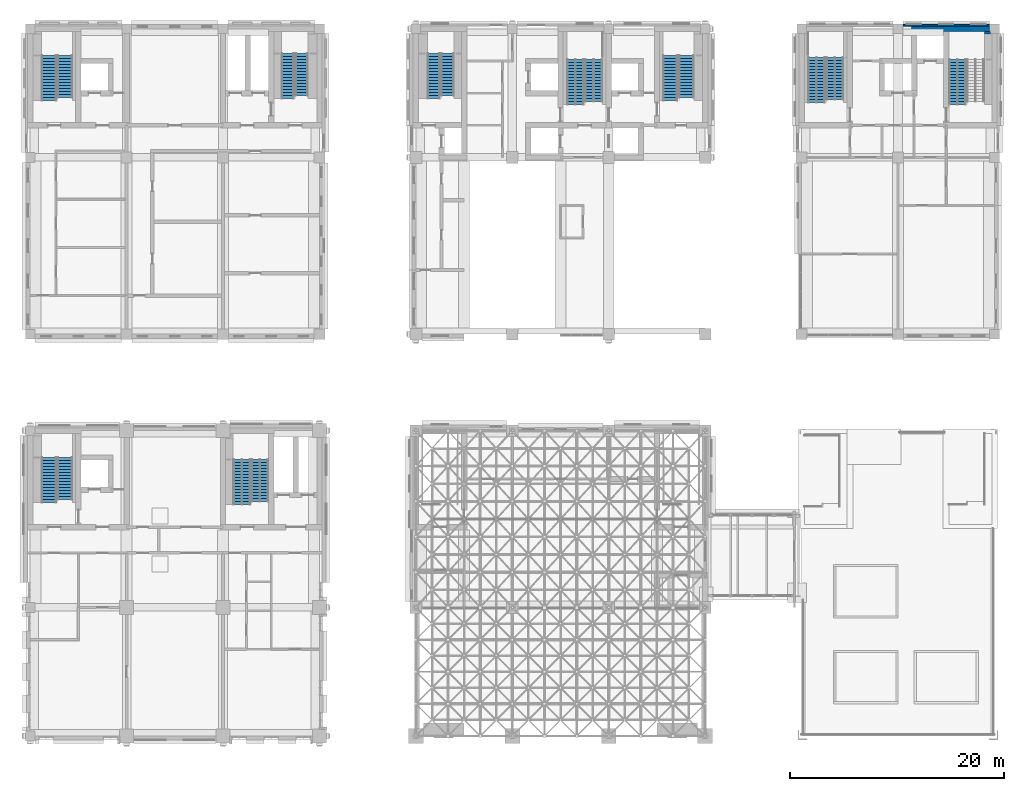
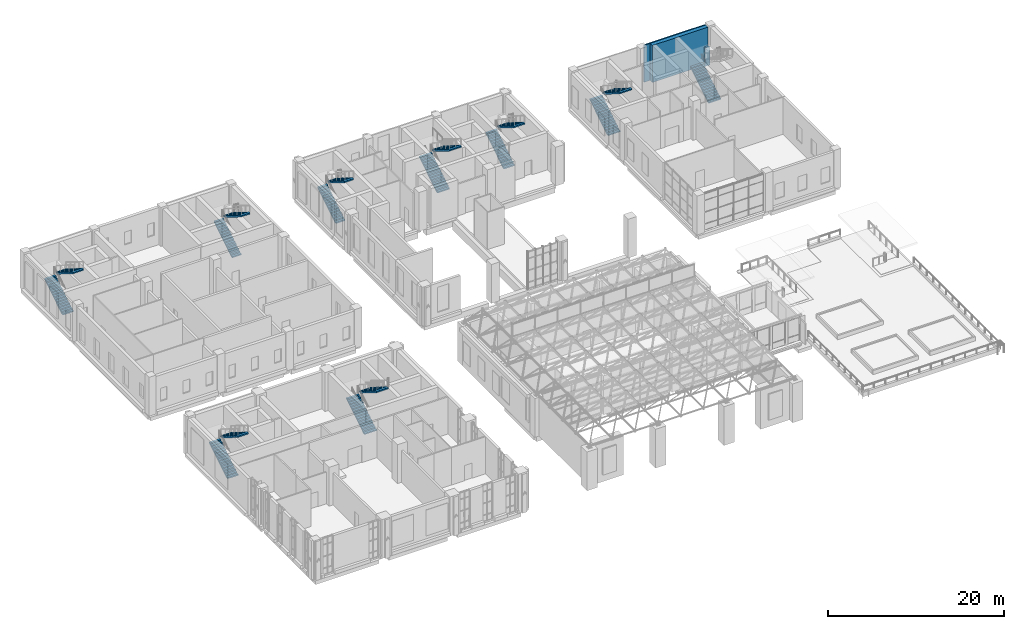
# One storey, part 37 of 53: 17 stair flights, 3 walls, 9 elements without a shape of their own.
"""IFC4 building model written with IfcOpenShell, lengths in metres."""

from ifc_helpers import new_model, si_unit, direction, frame, frame_2d, origin, place, context, subcontext, project, spatial, polyline, rectangle, outline, extrude, material, layer, layer_set, type_object, element, aggregate, save


model = new_model("IFC4")

# Units and contexts
model_context = context("Model", 3, precision=1e-05, world=origin(), true_north=direction((0.0, 1.0)))
body_context = subcontext(model_context, "Body", "Model", "MODEL_VIEW")
ifc_project = project(units=[si_unit("LENGTHUNIT", "METRE"), si_unit("AREAUNIT", "SQUARE_METRE"), si_unit("VOLUMEUNIT", "CUBIC_METRE"), si_unit("PLANEANGLEUNIT", "RADIAN"), si_unit("MASSUNIT", "GRAM", prefix="KILO")], contexts=[model_context])

# Site, building, storey
site_placement = place(None, origin())
site = spatial("IfcSite", under=ifc_project, at=site_placement, CompositionType="ELEMENT")
building_placement = place(site_placement, origin())
building = spatial("IfcBuilding", under=site, at=building_placement, Name="Aurelan Courthouse", CompositionType="ELEMENT")
storey_placement = place(building_placement, frame((0.0, 0.0, 12.0)))
storey = spatial("IfcBuildingStorey", under=building, at=storey_placement, Name="L02", CompositionType="ELEMENT", Elevation=12.0)

# Walls
ifc_material_1 = material(Name="Limestone cladding", Category="masonry")
ifc_layer_1 = layer(ifc_material_1, 0.050048828125, Name="Facing")
ifc_material_2 = material(Name="Ventilated cavity")
ifc_layer_2 = layer(ifc_material_2, 0.02490234375, ventilated=True, Name="Ventilated cavity")
ifc_material_3 = material(Name="Mineral wool insulation")
ifc_layer_3 = layer(ifc_material_3, 0.02490234375, Name="Insulation")
ifc_material_4 = material(Name="Concrete C30", Category="concrete")
ifc_layer_4 = layer(ifc_material_4, 0.070068359375, Name="Structure")
ifc_layer_set_1 = layer_set([ifc_layer_1, ifc_layer_2, ifc_layer_3, ifc_layer_4], Name="Concrete C30")
wall_type_1 = type_object("IfcWallType", Name="Law Library stone-faced wall 170", PredefinedType="SOLIDWALL", material=ifc_layer_set_1)
wall_1_placement = place(storey_placement, frame((81.449951171875, 66.3349609375, 0.0), z_axis=(0.0, 0.0, 1.0), x_axis=(1.0, 0.0, 0.0)))
element("IfcWall", 1, at=wall_1_placement, inside=storey, type_object=wall_type_1, Name="Facade wall FW-V3-L02-003", PredefinedType="SOLIDWALL", context=body_context, shape_type="SweptSolid", body=[
    extrude(rectangle(XDim=8.10009765625, YDim=0.169921875, at=frame_2d((4.050048828125, 0.0))), origin(), (0.0, 0.0, 1.0), 5.14990234375),
])
ifc_material_5 = material(Name="Concrete C50", Category="concrete")
ifc_layer_5 = layer(ifc_material_5, 0.5)
ifc_layer_set_2 = layer_set([ifc_layer_5], Name="Concrete C50")
wall_type_2 = type_object("IfcWallType", Name="RC shear wall 500", PredefinedType="SHEAR", material=ifc_layer_set_2)
wall_2_placement = place(storey_placement, frame((82.25, 66.0, 0.0), z_axis=(0.0, 0.0, 1.0), x_axis=(1.0, 0.0, 0.0)))
element("IfcWall", 2, at=wall_2_placement, inside=storey, type_object=wall_type_2, Name="Core wall SW-L02-078", PredefinedType="SHEAR", context=body_context, shape_type="SweptSolid", body=[
    extrude(rectangle(XDim=7.300048828125, YDim=0.5, at=frame_2d((3.64990234375, 0.0))), origin(), (0.0, 0.0, 1.0), 5.14990234375),
])
ifc_layer_6 = layer(ifc_material_4, 0.60009765625)
ifc_layer_set_3 = layer_set([ifc_layer_6], Name="Concrete C30")
wall_type_3 = type_object("IfcWallType", Name="Stair well wall 600 EI 120 load-bearing", PredefinedType="SHEAR", material=ifc_layer_set_3)
wall_3_placement = place(storey_placement, frame((89.35009765625, 65.5, 0.0), z_axis=(0.0, 0.0, 1.0), x_axis=(0.0, 1.0, 0.0)))
element("IfcWall", 3, at=wall_3_placement, inside=storey, type_object=wall_type_3, Name="Stair well wall ST-3B-L02 B2", PredefinedType="SHEAR", context=body_context, shape_type="SweptSolid", body=[
    extrude(rectangle(XDim=0.25, YDim=0.60009765625, at=frame_2d((0.125, 0.0))), origin(), (0.0, 0.0, 1.0), 2.587158203125),
])

# Stair, stair flights
stair_type_1 = type_object("IfcStairType", Name="Half-turn stair 1200 wide 31 risers", PredefinedType="HALF_TURN_STAIR", material=ifc_material_4)
stair_1_placement = place(storey_placement, origin())
stair_1 = element("IfcStair", 4, at=stair_1_placement, inside=storey, type_object=stair_type_1, Name="Stair CS-2-L02", PredefinedType="HALF_TURN_STAIR")
stair_flight_type_1 = type_object("IfcStairFlightType", Name="Stair flight 1200 wide 16 risers", PredefinedType="STRAIGHT", material=ifc_material_4)
stair_flight_1_placement = place(storey_placement, frame((37.659912109375, 59.510009765625, 0.0), z_axis=(0.0, 0.0, 1.0), x_axis=(0.0, 1.0, 0.0)))
stair_flight_1 = element("IfcStairFlight", 5, at=stair_flight_1_placement, type_object=stair_flight_type_1, Name="Stair CS-2-L02 flight 1", NumberOfRisers=16, NumberOfTreads=15, PredefinedType="STRAIGHT", RiserHeight=0.174193548, TreadLength=0.28, context=body_context, shape_type="SweptSolid", body=[
    extrude(outline(polyline([(0.0, 0.0), (0.0, 0.174072265625), (0.280029296875, 0.174072265625), (0.280029296875, 0.348388671875), (0.56005859375, 0.348388671875), (0.56005859375, 0.5224609375), (0.840087890625, 0.5224609375), (0.840087890625, 0.69677734375), (1.1201171875, 0.69677734375), (1.1201171875, 0.870849609375), (1.39990234375, 0.870849609375), (1.39990234375, 1.045166015625), (1.679931640625, 1.045166015625), (1.679931640625, 1.21923828125), (1.9599609375, 1.21923828125), (1.9599609375, 1.3935546875), (2.239990234375, 1.3935546875), (2.239990234375, 1.567626953125), (2.52001953125, 1.567626953125), (2.52001953125, 1.741943359375), (2.800048828125, 1.741943359375), (2.800048828125, 1.916015625), (3.080078125, 1.916015625), (3.080078125, 2.09033203125), (3.360107421875, 2.09033203125), (3.360107421875, 2.264404296875), (3.639892578125, 2.264404296875), (3.639892578125, 2.438720703125), (3.919921875, 2.438720703125), (3.919921875, 2.61279296875), (4.199951171875, 2.61279296875), (4.199951171875, 2.787109375), (4.199951171875, 2.436279296875), (0.28369140625, 0.0), (0.0, 0.0)])), frame((0.0, 0.60009765625, 0.0), z_axis=(0.0, -1.0, 0.0), x_axis=(1.0, 0.0, 0.0)), (0.0, 0.0, 1.0), 1.199951171875),
])
stair_flight_2_placement = place(storey_placement, frame((38.9599609375, 63.7099609375, 2.787109375), z_axis=(0.0, 0.0, 1.0), x_axis=(0.0, -1.0, 0.0)))
stair_flight_2 = element("IfcStairFlight", 6, at=stair_flight_2_placement, type_object=stair_flight_type_1, Name="Stair CS-2-L02 flight 2", NumberOfRisers=15, NumberOfTreads=14, PredefinedType="STRAIGHT", RiserHeight=0.174193548, TreadLength=0.28, context=body_context, shape_type="SweptSolid", body=[
    extrude(outline(polyline([(0.0, 0.0), (0.0, 0.174072265625), (0.280029296875, 0.174072265625), (0.280029296875, 0.348388671875), (0.56005859375, 0.348388671875), (0.56005859375, 0.5224609375), (0.840087890625, 0.5224609375), (0.840087890625, 0.69677734375), (1.1201171875, 0.69677734375), (1.1201171875, 0.870849609375), (1.39990234375, 0.870849609375), (1.39990234375, 1.045166015625), (1.679931640625, 1.045166015625), (1.679931640625, 1.21923828125), (1.9599609375, 1.21923828125), (1.9599609375, 1.3935546875), (2.239990234375, 1.3935546875), (2.239990234375, 1.567626953125), (2.52001953125, 1.567626953125), (2.52001953125, 1.741943359375), (2.800048828125, 1.741943359375), (2.800048828125, 1.916015625), (3.080078125, 1.916015625), (3.080078125, 2.09033203125), (3.360107421875, 2.09033203125), (3.360107421875, 2.264404296875), (3.639892578125, 2.264404296875), (3.639892578125, 2.438720703125), (3.919921875, 2.438720703125), (3.919921875, 2.61279296875), (3.919921875, 2.26220703125), (0.28369140625, 0.0), (0.0, 0.0)])), frame((0.0, 0.60009765625, 0.0), z_axis=(0.0, -1.0, 0.0), x_axis=(1.0, 0.0, 0.0)), (0.0, 0.0, 1.0), 1.199951171875),
])
aggregate(stair_1, [stair_flight_1, stair_flight_2])

stair_2_placement = place(storey_placement, origin())
stair_2 = element("IfcStair", 7, at=stair_2_placement, inside=storey, type_object=stair_type_1, Name="Stair CS-6-L02", PredefinedType="HALF_TURN_STAIR")
stair_flight_3_placement = place(storey_placement, frame((24.0400390625, 59.510009765625, 0.0), z_axis=(0.0, 0.0, 1.0), x_axis=(0.0, 1.0, 0.0)))
stair_flight_3 = element("IfcStairFlight", 8, at=stair_flight_3_placement, type_object=stair_flight_type_1, Name="Stair CS-6-L02 flight 1", NumberOfRisers=16, NumberOfTreads=15, PredefinedType="STRAIGHT", RiserHeight=0.174193548, TreadLength=0.28, context=body_context, shape_type="SweptSolid", body=[
    extrude(outline(polyline([(0.0, 0.0), (0.0, 0.174072265625), (0.280029296875, 0.174072265625), (0.280029296875, 0.348388671875), (0.56005859375, 0.348388671875), (0.56005859375, 0.5224609375), (0.840087890625, 0.5224609375), (0.840087890625, 0.69677734375), (1.1201171875, 0.69677734375), (1.1201171875, 0.870849609375), (1.39990234375, 0.870849609375), (1.39990234375, 1.045166015625), (1.679931640625, 1.045166015625), (1.679931640625, 1.21923828125), (1.9599609375, 1.21923828125), (1.9599609375, 1.3935546875), (2.239990234375, 1.3935546875), (2.239990234375, 1.567626953125), (2.52001953125, 1.567626953125), (2.52001953125, 1.741943359375), (2.800048828125, 1.741943359375), (2.800048828125, 1.916015625), (3.080078125, 1.916015625), (3.080078125, 2.09033203125), (3.360107421875, 2.09033203125), (3.360107421875, 2.264404296875), (3.639892578125, 2.264404296875), (3.639892578125, 2.438720703125), (3.919921875, 2.438720703125), (3.919921875, 2.61279296875), (4.199951171875, 2.61279296875), (4.199951171875, 2.787109375), (4.199951171875, 2.436279296875), (0.28369140625, 0.0), (0.0, 0.0)])), frame((0.0, 0.60009765625, 0.0), z_axis=(0.0, -1.0, 0.0), x_axis=(1.0, 0.0, 0.0)), (0.0, 0.0, 1.0), 1.199951171875),
])
stair_flight_4_placement = place(storey_placement, frame((25.340087890625, 63.7099609375, 2.787109375), z_axis=(0.0, 0.0, 1.0), x_axis=(0.0, -1.0, 0.0)))
stair_flight_4 = element("IfcStairFlight", 9, at=stair_flight_4_placement, type_object=stair_flight_type_1, Name="Stair CS-6-L02 flight 2", NumberOfRisers=15, NumberOfTreads=14, PredefinedType="STRAIGHT", RiserHeight=0.174193548, TreadLength=0.28, context=body_context, shape_type="SweptSolid", body=[
    extrude(outline(polyline([(0.0, 0.0), (0.0, 0.174072265625), (0.280029296875, 0.174072265625), (0.280029296875, 0.348388671875), (0.56005859375, 0.348388671875), (0.56005859375, 0.5224609375), (0.840087890625, 0.5224609375), (0.840087890625, 0.69677734375), (1.1201171875, 0.69677734375), (1.1201171875, 0.870849609375), (1.39990234375, 0.870849609375), (1.39990234375, 1.045166015625), (1.679931640625, 1.045166015625), (1.679931640625, 1.21923828125), (1.9599609375, 1.21923828125), (1.9599609375, 1.3935546875), (2.239990234375, 1.3935546875), (2.239990234375, 1.567626953125), (2.52001953125, 1.567626953125), (2.52001953125, 1.741943359375), (2.800048828125, 1.741943359375), (2.800048828125, 1.916015625), (3.080078125, 1.916015625), (3.080078125, 2.09033203125), (3.360107421875, 2.09033203125), (3.360107421875, 2.264404296875), (3.639892578125, 2.264404296875), (3.639892578125, 2.438720703125), (3.919921875, 2.438720703125), (3.919921875, 2.61279296875), (3.919921875, 2.26220703125), (0.28369140625, 0.0), (0.0, 0.0)])), frame((0.0, 0.60009765625, 0.0), z_axis=(0.0, -1.0, 0.0), x_axis=(1.0, 0.0, 0.0)), (0.0, 0.0, 1.0), 1.199951171875),
])
aggregate(stair_2, [stair_flight_3, stair_flight_4])

stair_type_2 = type_object("IfcStairType", Name="Half-turn stair 1400 wide 31 risers", PredefinedType="HALF_TURN_STAIR", material=ifc_material_4)
stair_3_placement = place(storey_placement, origin())
stair_3 = element("IfcStair", 10, at=stair_3_placement, inside=storey, type_object=stair_type_2, Name="Stair ST-2E-L02", PredefinedType="HALF_TURN_STAIR")
stair_flight_type_2 = type_object("IfcStairFlightType", Name="Stair flight 1400 wide 16 risers", PredefinedType="STRAIGHT", material=ifc_material_4)
stair_flight_5_placement = place(storey_placement, frame((59.739990234375, 59.31005859375, 0.0), z_axis=(0.0, 0.0, 1.0), x_axis=(0.0, 1.0, 0.0)))
stair_flight_5 = element("IfcStairFlight", 11, at=stair_flight_5_placement, type_object=stair_flight_type_2, Name="Stair ST-2E-L02 flight 1", NumberOfRisers=16, NumberOfTreads=15, PredefinedType="STRAIGHT", RiserHeight=0.174193548, TreadLength=0.28, context=body_context, shape_type="SweptSolid", body=[
    extrude(outline(polyline([(0.0, 0.0), (0.0, 0.174072265625), (0.280029296875, 0.174072265625), (0.280029296875, 0.348388671875), (0.56005859375, 0.348388671875), (0.56005859375, 0.5224609375), (0.840087890625, 0.5224609375), (0.840087890625, 0.69677734375), (1.1201171875, 0.69677734375), (1.1201171875, 0.870849609375), (1.39990234375, 0.870849609375), (1.39990234375, 1.045166015625), (1.679931640625, 1.045166015625), (1.679931640625, 1.21923828125), (1.9599609375, 1.21923828125), (1.9599609375, 1.3935546875), (2.239990234375, 1.3935546875), (2.239990234375, 1.567626953125), (2.52001953125, 1.567626953125), (2.52001953125, 1.741943359375), (2.800048828125, 1.741943359375), (2.800048828125, 1.916015625), (3.080078125, 1.916015625), (3.080078125, 2.09033203125), (3.360107421875, 2.09033203125), (3.360107421875, 2.264404296875), (3.639892578125, 2.264404296875), (3.639892578125, 2.438720703125), (3.919921875, 2.438720703125), (3.919921875, 2.61279296875), (4.199951171875, 2.61279296875), (4.199951171875, 2.787109375), (4.199951171875, 2.436279296875), (0.28369140625, 0.0), (0.0, 0.0)])), frame((0.0, 0.699951171875, 0.0), z_axis=(0.0, -1.0, 0.0), x_axis=(1.0, 0.0, 0.0)), (0.0, 0.0, 1.0), 1.39990234375),
])
stair_flight_6_placement = place(storey_placement, frame((61.239990234375, 63.510009765625, 2.787109375), z_axis=(0.0, 0.0, 1.0), x_axis=(0.0, -1.0, 0.0)))
stair_flight_6 = element("IfcStairFlight", 12, at=stair_flight_6_placement, type_object=stair_flight_type_2, Name="Stair ST-2E-L02 flight 2", NumberOfRisers=15, NumberOfTreads=14, PredefinedType="STRAIGHT", RiserHeight=0.174193548, TreadLength=0.28, context=body_context, shape_type="SweptSolid", body=[
    extrude(outline(polyline([(0.0, 0.0), (0.0, 0.174072265625), (0.280029296875, 0.174072265625), (0.280029296875, 0.348388671875), (0.56005859375, 0.348388671875), (0.56005859375, 0.5224609375), (0.840087890625, 0.5224609375), (0.840087890625, 0.69677734375), (1.1201171875, 0.69677734375), (1.1201171875, 0.870849609375), (1.39990234375, 0.870849609375), (1.39990234375, 1.045166015625), (1.679931640625, 1.045166015625), (1.679931640625, 1.21923828125), (1.9599609375, 1.21923828125), (1.9599609375, 1.3935546875), (2.239990234375, 1.3935546875), (2.239990234375, 1.567626953125), (2.52001953125, 1.567626953125), (2.52001953125, 1.741943359375), (2.800048828125, 1.741943359375), (2.800048828125, 1.916015625), (3.080078125, 1.916015625), (3.080078125, 2.09033203125), (3.360107421875, 2.09033203125), (3.360107421875, 2.264404296875), (3.639892578125, 2.264404296875), (3.639892578125, 2.438720703125), (3.919921875, 2.438720703125), (3.919921875, 2.61279296875), (3.919921875, 2.26220703125), (0.28369140625, 0.0), (0.0, 0.0)])), frame((0.0, 0.699951171875, 0.0), z_axis=(0.0, -1.0, 0.0), x_axis=(1.0, 0.0, 0.0)), (0.0, 0.0, 1.0), 1.39990234375),
])
aggregate(stair_3, [stair_flight_5, stair_flight_6])

stair_4_placement = place(storey_placement, origin())
stair_4 = element("IfcStair", 13, at=stair_4_placement, inside=storey, type_object=stair_type_2, Name="Stair ST-5B-L02", PredefinedType="HALF_TURN_STAIR")
stair_flight_7_placement = place(storey_placement, frame((1.760009765625, 21.81005859375, 0.0), z_axis=(0.0, 0.0, 1.0), x_axis=(0.0, 1.0, 0.0)))
stair_flight_7 = element("IfcStairFlight", 14, at=stair_flight_7_placement, type_object=stair_flight_type_2, Name="Stair ST-5B-L02 flight 1", NumberOfRisers=16, NumberOfTreads=15, PredefinedType="STRAIGHT", RiserHeight=0.174193548, TreadLength=0.28, context=body_context, shape_type="SweptSolid", body=[
    extrude(outline(polyline([(0.0, 0.0), (0.0, 0.174072265625), (0.280029296875, 0.174072265625), (0.280029296875, 0.348388671875), (0.56005859375, 0.348388671875), (0.56005859375, 0.5224609375), (0.840087890625, 0.5224609375), (0.840087890625, 0.69677734375), (1.1201171875, 0.69677734375), (1.1201171875, 0.870849609375), (1.39990234375, 0.870849609375), (1.39990234375, 1.045166015625), (1.679931640625, 1.045166015625), (1.679931640625, 1.21923828125), (1.9599609375, 1.21923828125), (1.9599609375, 1.3935546875), (2.239990234375, 1.3935546875), (2.239990234375, 1.567626953125), (2.52001953125, 1.567626953125), (2.52001953125, 1.741943359375), (2.800048828125, 1.741943359375), (2.800048828125, 1.916015625), (3.080078125, 1.916015625), (3.080078125, 2.09033203125), (3.360107421875, 2.09033203125), (3.360107421875, 2.264404296875), (3.639892578125, 2.264404296875), (3.639892578125, 2.438720703125), (3.919921875, 2.438720703125), (3.919921875, 2.61279296875), (4.199951171875, 2.61279296875), (4.199951171875, 2.787109375), (4.199951171875, 2.436279296875), (0.28369140625, 0.0), (0.0, 0.0)])), frame((0.0, 0.699951171875, 0.0), z_axis=(0.0, -1.0, 0.0), x_axis=(1.0, 0.0, 0.0)), (0.0, 0.0, 1.0), 1.39990234375),
])
stair_flight_8_placement = place(storey_placement, frame((3.260009765625, 26.010009765625, 2.787109375), z_axis=(0.0, 0.0, 1.0), x_axis=(0.0, -1.0, 0.0)))
stair_flight_8 = element("IfcStairFlight", 15, at=stair_flight_8_placement, type_object=stair_flight_type_2, Name="Stair ST-5B-L02 flight 2", NumberOfRisers=15, NumberOfTreads=14, PredefinedType="STRAIGHT", RiserHeight=0.174193548, TreadLength=0.28, context=body_context, shape_type="SweptSolid", body=[
    extrude(outline(polyline([(0.0, 0.0), (0.0, 0.174072265625), (0.280029296875, 0.174072265625), (0.280029296875, 0.348388671875), (0.56005859375, 0.348388671875), (0.56005859375, 0.5224609375), (0.840087890625, 0.5224609375), (0.840087890625, 0.69677734375), (1.1201171875, 0.69677734375), (1.1201171875, 0.870849609375), (1.39990234375, 0.870849609375), (1.39990234375, 1.045166015625), (1.679931640625, 1.045166015625), (1.679931640625, 1.21923828125), (1.9599609375, 1.21923828125), (1.9599609375, 1.3935546875), (2.239990234375, 1.3935546875), (2.239990234375, 1.567626953125), (2.52001953125, 1.567626953125), (2.52001953125, 1.741943359375), (2.800048828125, 1.741943359375), (2.800048828125, 1.916015625), (3.080078125, 1.916015625), (3.080078125, 2.09033203125), (3.360107421875, 2.09033203125), (3.360107421875, 2.264404296875), (3.639892578125, 2.264404296875), (3.639892578125, 2.438720703125), (3.919921875, 2.438720703125), (3.919921875, 2.61279296875), (3.919921875, 2.26220703125), (0.28369140625, 0.0), (0.0, 0.0)])), frame((0.0, 0.699951171875, 0.0), z_axis=(0.0, -1.0, 0.0), x_axis=(1.0, 0.0, 0.0)), (0.0, 0.0, 1.0), 1.39990234375),
])
aggregate(stair_4, [stair_flight_7, stair_flight_8])

stair_5_placement = place(storey_placement, origin())
stair_5 = element("IfcStair", 16, at=stair_5_placement, inside=storey, type_object=stair_type_2, Name="Stair ST-6-L02", PredefinedType="HALF_TURN_STAIR")
stair_flight_9_placement = place(storey_placement, frame((1.760009765625, 59.31005859375, 0.0), z_axis=(0.0, 0.0, 1.0), x_axis=(0.0, 1.0, 0.0)))
stair_flight_9 = element("IfcStairFlight", 17, at=stair_flight_9_placement, type_object=stair_flight_type_2, Name="Stair ST-6-L02 flight 1", NumberOfRisers=16, NumberOfTreads=15, PredefinedType="STRAIGHT", RiserHeight=0.174193548, TreadLength=0.28, context=body_context, shape_type="SweptSolid", body=[
    extrude(outline(polyline([(0.0, 0.0), (0.0, 0.174072265625), (0.280029296875, 0.174072265625), (0.280029296875, 0.348388671875), (0.56005859375, 0.348388671875), (0.56005859375, 0.5224609375), (0.840087890625, 0.5224609375), (0.840087890625, 0.69677734375), (1.1201171875, 0.69677734375), (1.1201171875, 0.870849609375), (1.39990234375, 0.870849609375), (1.39990234375, 1.045166015625), (1.679931640625, 1.045166015625), (1.679931640625, 1.21923828125), (1.9599609375, 1.21923828125), (1.9599609375, 1.3935546875), (2.239990234375, 1.3935546875), (2.239990234375, 1.567626953125), (2.52001953125, 1.567626953125), (2.52001953125, 1.741943359375), (2.800048828125, 1.741943359375), (2.800048828125, 1.916015625), (3.080078125, 1.916015625), (3.080078125, 2.09033203125), (3.360107421875, 2.09033203125), (3.360107421875, 2.264404296875), (3.639892578125, 2.264404296875), (3.639892578125, 2.438720703125), (3.919921875, 2.438720703125), (3.919921875, 2.61279296875), (4.199951171875, 2.61279296875), (4.199951171875, 2.787109375), (4.199951171875, 2.436279296875), (0.28369140625, 0.0), (0.0, 0.0)])), frame((0.0, 0.699951171875, 0.0), z_axis=(0.0, -1.0, 0.0), x_axis=(1.0, 0.0, 0.0)), (0.0, 0.0, 1.0), 1.39990234375),
])
stair_flight_10_placement = place(storey_placement, frame((3.260009765625, 63.510009765625, 2.787109375), z_axis=(0.0, 0.0, 1.0), x_axis=(0.0, -1.0, 0.0)))
stair_flight_10 = element("IfcStairFlight", 18, at=stair_flight_10_placement, type_object=stair_flight_type_2, Name="Stair ST-6-L02 flight 2", NumberOfRisers=15, NumberOfTreads=14, PredefinedType="STRAIGHT", RiserHeight=0.174193548, TreadLength=0.28, context=body_context, shape_type="SweptSolid", body=[
    extrude(outline(polyline([(0.0, 0.0), (0.0, 0.174072265625), (0.280029296875, 0.174072265625), (0.280029296875, 0.348388671875), (0.56005859375, 0.348388671875), (0.56005859375, 0.5224609375), (0.840087890625, 0.5224609375), (0.840087890625, 0.69677734375), (1.1201171875, 0.69677734375), (1.1201171875, 0.870849609375), (1.39990234375, 0.870849609375), (1.39990234375, 1.045166015625), (1.679931640625, 1.045166015625), (1.679931640625, 1.21923828125), (1.9599609375, 1.21923828125), (1.9599609375, 1.3935546875), (2.239990234375, 1.3935546875), (2.239990234375, 1.567626953125), (2.52001953125, 1.567626953125), (2.52001953125, 1.741943359375), (2.800048828125, 1.741943359375), (2.800048828125, 1.916015625), (3.080078125, 1.916015625), (3.080078125, 2.09033203125), (3.360107421875, 2.09033203125), (3.360107421875, 2.264404296875), (3.639892578125, 2.264404296875), (3.639892578125, 2.438720703125), (3.919921875, 2.438720703125), (3.919921875, 2.61279296875), (3.919921875, 2.26220703125), (0.28369140625, 0.0), (0.0, 0.0)])), frame((0.0, 0.699951171875, 0.0), z_axis=(0.0, -1.0, 0.0), x_axis=(1.0, 0.0, 0.0)), (0.0, 0.0, 1.0), 1.39990234375),
])
aggregate(stair_5, [stair_flight_9, stair_flight_10])

stair_type_3 = type_object("IfcStairType", Name="Half-turn stair 1600 wide 31 risers", PredefinedType="HALF_TURN_STAIR", material=ifc_material_4)
stair_6_placement = place(storey_placement, origin())
stair_6 = element("IfcStair", 19, at=stair_6_placement, inside=storey, type_object=stair_type_3, Name="Stair ST-2A-L02", PredefinedType="HALF_TURN_STAIR")
stair_flight_type_3 = type_object("IfcStairFlightType", Name="Stair flight 1600 wide 16 risers", PredefinedType="STRAIGHT", material=ifc_material_4)
stair_flight_11_placement = place(storey_placement, frame((50.89990234375, 58.9599609375, 0.0), z_axis=(0.0, 0.0, 1.0), x_axis=(0.0, 1.0, 0.0)))
stair_flight_11 = element("IfcStairFlight", 20, at=stair_flight_11_placement, type_object=stair_flight_type_3, Name="Stair ST-2A-L02 flight 1", NumberOfRisers=16, NumberOfTreads=15, PredefinedType="STRAIGHT", RiserHeight=0.174193548, TreadLength=0.28, context=body_context, shape_type="SweptSolid", body=[
    extrude(outline(polyline([(0.0, 0.0), (0.0, 0.174072265625), (0.280029296875, 0.174072265625), (0.280029296875, 0.348388671875), (0.56005859375, 0.348388671875), (0.56005859375, 0.5224609375), (0.840087890625, 0.5224609375), (0.840087890625, 0.69677734375), (1.1201171875, 0.69677734375), (1.1201171875, 0.870849609375), (1.39990234375, 0.870849609375), (1.39990234375, 1.045166015625), (1.679931640625, 1.045166015625), (1.679931640625, 1.21923828125), (1.9599609375, 1.21923828125), (1.9599609375, 1.3935546875), (2.239990234375, 1.3935546875), (2.239990234375, 1.567626953125), (2.52001953125, 1.567626953125), (2.52001953125, 1.741943359375), (2.800048828125, 1.741943359375), (2.800048828125, 1.916015625), (3.080078125, 1.916015625), (3.080078125, 2.09033203125), (3.360107421875, 2.09033203125), (3.360107421875, 2.264404296875), (3.639892578125, 2.264404296875), (3.639892578125, 2.438720703125), (3.919921875, 2.438720703125), (3.919921875, 2.61279296875), (4.199951171875, 2.61279296875), (4.199951171875, 2.787109375), (4.199951171875, 2.436279296875), (0.28369140625, 0.0), (0.0, 0.0)])), frame((0.0, 0.800048828125, 0.0), z_axis=(0.0, -1.0, 0.0), x_axis=(1.0, 0.0, 0.0)), (0.0, 0.0, 1.0), 1.60009765625),
])
stair_flight_12_placement = place(storey_placement, frame((52.60009765625, 63.159912109375, 2.787109375), z_axis=(0.0, 0.0, 1.0), x_axis=(0.0, -1.0, 0.0)))
stair_flight_12 = element("IfcStairFlight", 21, at=stair_flight_12_placement, type_object=stair_flight_type_3, Name="Stair ST-2A-L02 flight 2", NumberOfRisers=15, NumberOfTreads=14, PredefinedType="STRAIGHT", RiserHeight=0.174193548, TreadLength=0.28, context=body_context, shape_type="SweptSolid", body=[
    extrude(outline(polyline([(0.0, 0.0), (0.0, 0.174072265625), (0.280029296875, 0.174072265625), (0.280029296875, 0.348388671875), (0.56005859375, 0.348388671875), (0.56005859375, 0.5224609375), (0.840087890625, 0.5224609375), (0.840087890625, 0.69677734375), (1.1201171875, 0.69677734375), (1.1201171875, 0.870849609375), (1.39990234375, 0.870849609375), (1.39990234375, 1.045166015625), (1.679931640625, 1.045166015625), (1.679931640625, 1.21923828125), (1.9599609375, 1.21923828125), (1.9599609375, 1.3935546875), (2.239990234375, 1.3935546875), (2.239990234375, 1.567626953125), (2.52001953125, 1.567626953125), (2.52001953125, 1.741943359375), (2.800048828125, 1.741943359375), (2.800048828125, 1.916015625), (3.080078125, 1.916015625), (3.080078125, 2.09033203125), (3.360107421875, 2.09033203125), (3.360107421875, 2.264404296875), (3.639892578125, 2.264404296875), (3.639892578125, 2.438720703125), (3.919921875, 2.438720703125), (3.919921875, 2.61279296875), (3.919921875, 2.26220703125), (0.28369140625, 0.0), (0.0, 0.0)])), frame((0.0, 0.800048828125, 0.0), z_axis=(0.0, -1.0, 0.0), x_axis=(1.0, 0.0, 0.0)), (0.0, 0.0, 1.0), 1.60009765625),
])
aggregate(stair_6, [stair_flight_11, stair_flight_12])

stair_7_placement = place(storey_placement, origin())
stair_7 = element("IfcStair", 22, at=stair_7_placement, inside=storey, type_object=stair_type_3, Name="Stair ST-3A-L02", PredefinedType="HALF_TURN_STAIR")
stair_flight_13_placement = place(storey_placement, frame((73.39990234375, 59.110107421875, 0.0), z_axis=(0.0, 0.0, 1.0), x_axis=(0.0, 1.0, 0.0)))
stair_flight_13 = element("IfcStairFlight", 23, at=stair_flight_13_placement, type_object=stair_flight_type_3, Name="Stair ST-3A-L02 flight 1", NumberOfRisers=16, NumberOfTreads=15, PredefinedType="STRAIGHT", RiserHeight=0.174193548, TreadLength=0.28, context=body_context, shape_type="SweptSolid", body=[
    extrude(outline(polyline([(0.0, 0.0), (0.0, 0.174072265625), (0.280029296875, 0.174072265625), (0.280029296875, 0.348388671875), (0.56005859375, 0.348388671875), (0.56005859375, 0.5224609375), (0.840087890625, 0.5224609375), (0.840087890625, 0.69677734375), (1.1201171875, 0.69677734375), (1.1201171875, 0.870849609375), (1.39990234375, 0.870849609375), (1.39990234375, 1.045166015625), (1.679931640625, 1.045166015625), (1.679931640625, 1.21923828125), (1.9599609375, 1.21923828125), (1.9599609375, 1.3935546875), (2.239990234375, 1.3935546875), (2.239990234375, 1.567626953125), (2.52001953125, 1.567626953125), (2.52001953125, 1.741943359375), (2.800048828125, 1.741943359375), (2.800048828125, 1.916015625), (3.080078125, 1.916015625), (3.080078125, 2.09033203125), (3.360107421875, 2.09033203125), (3.360107421875, 2.264404296875), (3.639892578125, 2.264404296875), (3.639892578125, 2.438720703125), (3.919921875, 2.438720703125), (3.919921875, 2.61279296875), (4.199951171875, 2.61279296875), (4.199951171875, 2.787109375), (4.199951171875, 2.436279296875), (0.28369140625, 0.0), (0.0, 0.0)])), frame((0.0, 0.800048828125, 0.0), z_axis=(0.0, -1.0, 0.0), x_axis=(1.0, 0.0, 0.0)), (0.0, 0.0, 1.0), 1.60009765625),
])
stair_flight_14_placement = place(storey_placement, frame((75.10009765625, 63.31005859375, 2.787109375), z_axis=(0.0, 0.0, 1.0), x_axis=(0.0, -1.0, 0.0)))
stair_flight_14 = element("IfcStairFlight", 24, at=stair_flight_14_placement, type_object=stair_flight_type_3, Name="Stair ST-3A-L02 flight 2", NumberOfRisers=15, NumberOfTreads=14, PredefinedType="STRAIGHT", RiserHeight=0.174193548, TreadLength=0.28, context=body_context, shape_type="SweptSolid", body=[
    extrude(outline(polyline([(0.0, 0.0), (0.0, 0.174072265625), (0.280029296875, 0.174072265625), (0.280029296875, 0.348388671875), (0.56005859375, 0.348388671875), (0.56005859375, 0.5224609375), (0.840087890625, 0.5224609375), (0.840087890625, 0.69677734375), (1.1201171875, 0.69677734375), (1.1201171875, 0.870849609375), (1.39990234375, 0.870849609375), (1.39990234375, 1.045166015625), (1.679931640625, 1.045166015625), (1.679931640625, 1.21923828125), (1.9599609375, 1.21923828125), (1.9599609375, 1.3935546875), (2.239990234375, 1.3935546875), (2.239990234375, 1.567626953125), (2.52001953125, 1.567626953125), (2.52001953125, 1.741943359375), (2.800048828125, 1.741943359375), (2.800048828125, 1.916015625), (3.080078125, 1.916015625), (3.080078125, 2.09033203125), (3.360107421875, 2.09033203125), (3.360107421875, 2.264404296875), (3.639892578125, 2.264404296875), (3.639892578125, 2.438720703125), (3.919921875, 2.438720703125), (3.919921875, 2.61279296875), (3.919921875, 2.26220703125), (0.28369140625, 0.0), (0.0, 0.0)])), frame((0.0, 0.800048828125, 0.0), z_axis=(0.0, -1.0, 0.0), x_axis=(1.0, 0.0, 0.0)), (0.0, 0.0, 1.0), 1.60009765625),
])
aggregate(stair_7, [stair_flight_13, stair_flight_14])

# Stair, stair flight
stair_8_placement = place(storey_placement, origin())
stair_8 = element("IfcStair", 25, at=stair_8_placement, inside=storey, type_object=stair_type_3, Name="Stair ST-3B-L02", PredefinedType="HALF_TURN_STAIR")
stair_flight_15_placement = place(storey_placement, frame((86.550048828125, 58.9599609375, 0.0), z_axis=(0.0, 0.0, 1.0), x_axis=(0.0, 1.0, 0.0)))
stair_flight_15 = element("IfcStairFlight", 26, at=stair_flight_15_placement, type_object=stair_flight_type_3, Name="Stair ST-3B-L02 flight 1", NumberOfRisers=16, NumberOfTreads=15, PredefinedType="STRAIGHT", RiserHeight=0.174193548, TreadLength=0.28, context=body_context, shape_type="SweptSolid", body=[
    extrude(outline(polyline([(0.0, 0.0), (0.0, 0.174072265625), (0.280029296875, 0.174072265625), (0.280029296875, 0.348388671875), (0.56005859375, 0.348388671875), (0.56005859375, 0.5224609375), (0.840087890625, 0.5224609375), (0.840087890625, 0.69677734375), (1.1201171875, 0.69677734375), (1.1201171875, 0.870849609375), (1.39990234375, 0.870849609375), (1.39990234375, 1.045166015625), (1.679931640625, 1.045166015625), (1.679931640625, 1.21923828125), (1.9599609375, 1.21923828125), (1.9599609375, 1.3935546875), (2.239990234375, 1.3935546875), (2.239990234375, 1.567626953125), (2.52001953125, 1.567626953125), (2.52001953125, 1.741943359375), (2.800048828125, 1.741943359375), (2.800048828125, 1.916015625), (3.080078125, 1.916015625), (3.080078125, 2.09033203125), (3.360107421875, 2.09033203125), (3.360107421875, 2.264404296875), (3.639892578125, 2.264404296875), (3.639892578125, 2.438720703125), (3.919921875, 2.438720703125), (3.919921875, 2.61279296875), (4.199951171875, 2.61279296875), (4.199951171875, 2.787109375), (4.199951171875, 2.436279296875), (0.28369140625, 0.0), (0.0, 0.0)])), frame((0.0, 0.800048828125, 0.0), z_axis=(0.0, -1.0, 0.0), x_axis=(1.0, 0.0, 0.0)), (0.0, 0.0, 1.0), 1.60009765625),
])
aggregate(stair_8, [stair_flight_15])

# Stair, stair flights
stair_9_placement = place(storey_placement, origin())
stair_9 = element("IfcStair", 27, at=stair_9_placement, inside=storey, type_object=stair_type_3, Name="Stair ST-5A-L02", PredefinedType="HALF_TURN_STAIR")
stair_flight_16_placement = place(storey_placement, frame((19.75, 21.610107421875, 0.0), z_axis=(0.0, 0.0, 1.0), x_axis=(0.0, 1.0, 0.0)))
stair_flight_16 = element("IfcStairFlight", 28, at=stair_flight_16_placement, type_object=stair_flight_type_3, Name="Stair ST-5A-L02 flight 1", NumberOfRisers=16, NumberOfTreads=15, PredefinedType="STRAIGHT", RiserHeight=0.174193548, TreadLength=0.28, context=body_context, shape_type="SweptSolid", body=[
    extrude(outline(polyline([(0.0, 0.0), (0.0, 0.174072265625), (0.280029296875, 0.174072265625), (0.280029296875, 0.348388671875), (0.56005859375, 0.348388671875), (0.56005859375, 0.5224609375), (0.840087890625, 0.5224609375), (0.840087890625, 0.69677734375), (1.1201171875, 0.69677734375), (1.1201171875, 0.870849609375), (1.39990234375, 0.870849609375), (1.39990234375, 1.045166015625), (1.679931640625, 1.045166015625), (1.679931640625, 1.21923828125), (1.9599609375, 1.21923828125), (1.9599609375, 1.3935546875), (2.239990234375, 1.3935546875), (2.239990234375, 1.567626953125), (2.52001953125, 1.567626953125), (2.52001953125, 1.741943359375), (2.800048828125, 1.741943359375), (2.800048828125, 1.916015625), (3.080078125, 1.916015625), (3.080078125, 2.09033203125), (3.360107421875, 2.09033203125), (3.360107421875, 2.264404296875), (3.639892578125, 2.264404296875), (3.639892578125, 2.438720703125), (3.919921875, 2.438720703125), (3.919921875, 2.61279296875), (4.199951171875, 2.61279296875), (4.199951171875, 2.787109375), (4.199951171875, 2.436279296875), (0.28369140625, 0.0), (0.0, 0.0)])), frame((0.0, 0.800048828125, 0.0), z_axis=(0.0, -1.0, 0.0), x_axis=(1.0, 0.0, 0.0)), (0.0, 0.0, 1.0), 1.60009765625),
])
stair_flight_17_placement = place(storey_placement, frame((21.449951171875, 25.81005859375, 2.787109375), z_axis=(0.0, 0.0, 1.0), x_axis=(0.0, -1.0, 0.0)))
stair_flight_17 = element("IfcStairFlight", 29, at=stair_flight_17_placement, type_object=stair_flight_type_3, Name="Stair ST-5A-L02 flight 2", NumberOfRisers=15, NumberOfTreads=14, PredefinedType="STRAIGHT", RiserHeight=0.174193548, TreadLength=0.28, context=body_context, shape_type="SweptSolid", body=[
    extrude(outline(polyline([(0.0, 0.0), (0.0, 0.174072265625), (0.280029296875, 0.174072265625), (0.280029296875, 0.348388671875), (0.56005859375, 0.348388671875), (0.56005859375, 0.5224609375), (0.840087890625, 0.5224609375), (0.840087890625, 0.69677734375), (1.1201171875, 0.69677734375), (1.1201171875, 0.870849609375), (1.39990234375, 0.870849609375), (1.39990234375, 1.045166015625), (1.679931640625, 1.045166015625), (1.679931640625, 1.21923828125), (1.9599609375, 1.21923828125), (1.9599609375, 1.3935546875), (2.239990234375, 1.3935546875), (2.239990234375, 1.567626953125), (2.52001953125, 1.567626953125), (2.52001953125, 1.741943359375), (2.800048828125, 1.741943359375), (2.800048828125, 1.916015625), (3.080078125, 1.916015625), (3.080078125, 2.09033203125), (3.360107421875, 2.09033203125), (3.360107421875, 2.264404296875), (3.639892578125, 2.264404296875), (3.639892578125, 2.438720703125), (3.919921875, 2.438720703125), (3.919921875, 2.61279296875), (3.919921875, 2.26220703125), (0.28369140625, 0.0), (0.0, 0.0)])), frame((0.0, 0.800048828125, 0.0), z_axis=(0.0, -1.0, 0.0), x_axis=(1.0, 0.0, 0.0)), (0.0, 0.0, 1.0), 1.60009765625),
])
aggregate(stair_9, [stair_flight_16, stair_flight_17])

save(model, "model.ifc")
